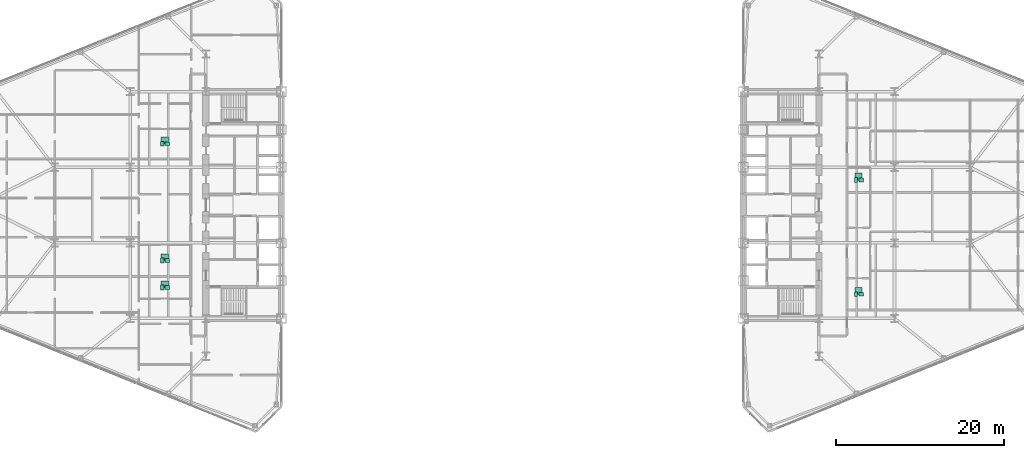
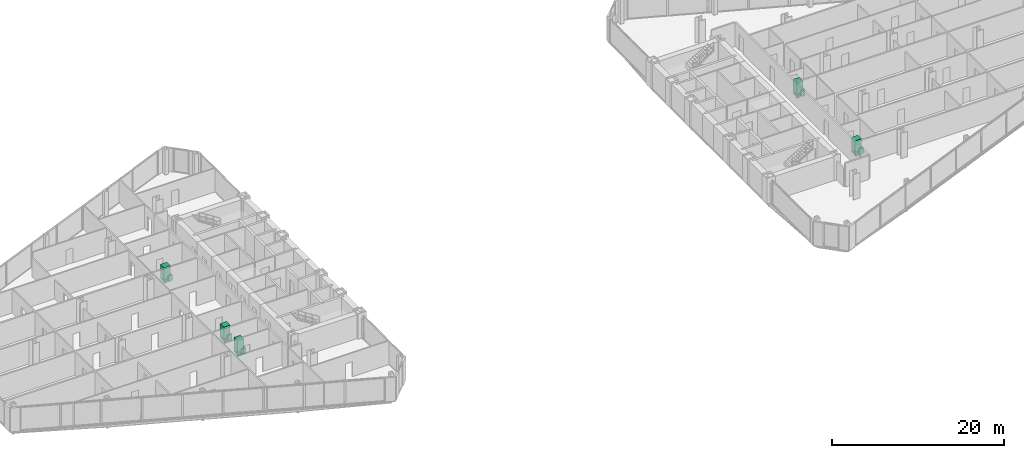
# One storey, part 25 of 25: 15 sanitary terminals.
"""IFC4 building model written with IfcOpenShell, lengths in metres."""

from ifc_helpers import new_model, si_unit, direction, frame, origin, origin_2d, place, context, subcontext, project, spatial, rectangle, extrude, source, transform, mapped, material, type_object, type_shapes, element, save


model = new_model("IFC4")

# Units and contexts
model_context = context("Model", 3, precision=1e-05, world=origin(), true_north=direction((0.0, 1.0)))
body_context = subcontext(model_context, "Body", "Model", "MODEL_VIEW")
ifc_project = project(units=[si_unit("LENGTHUNIT", "METRE"), si_unit("AREAUNIT", "SQUARE_METRE"), si_unit("VOLUMEUNIT", "CUBIC_METRE"), si_unit("PLANEANGLEUNIT", "RADIAN"), si_unit("MASSUNIT", "GRAM", prefix="KILO")], contexts=[model_context])

# Site, building, storey
site_placement = place(None, origin())
site = spatial("IfcSite", under=ifc_project, at=site_placement, CompositionType="ELEMENT")
building_placement = place(site_placement, origin())
building = spatial("IfcBuilding", under=site, at=building_placement, Name="Seokmaru Belvedere", CompositionType="ELEMENT")
storey_placement = place(building_placement, frame((0.0, 0.0, 47.699951171875)))
storey = spatial("IfcBuildingStorey", under=building, at=storey_placement, Name="L12", CompositionType="ELEMENT", Elevation=47.699951171875)

# Sanitary terminals
ifc_material_1 = material(Name="Vitreous China Sanitaryware")
sanitary_terminal_type_1 = type_object("IfcSanitaryTerminalType", Name="Wall-Hung Vitreous China WC Pan", PredefinedType="TOILETPAN", material=ifc_material_1)
shared_shape_1 = source(origin(), body_context, "Body", "SweptSolid", [
    extrude(rectangle(XDim=0.3798828125, YDim=0.56005859375, at=origin_2d()), origin(), (0.0, 0.0, 1.0), 0.419921875),
])
type_shapes(sanitary_terminal_type_1, [shared_shape_1])
for number, where, z_axis, x_axis, name in (
    (1, (-41.699951171875, -9.822021484375, 0.0), (0.0, 0.0, 1.0), (1.0, 0.0, 0.0), "L12 Vitreous China WC 0070"),
    (2, (-41.699951171875, -6.611083984375, 0.0), (0.0, 0.0, 1.0), (1.0, 0.0, 0.0), "L12 Vitreous China WC 0071"),
    (3, (-41.699951171875, 7.2890625, 0.0), (0.0, 0.0, 1.0), (1.0, 0.0, 0.0), "L12 Vitreous China WC 0072"),
    (4, (40.925048828125, -10.611083984375, 0.0), (0.0, 0.0, 1.0), (1.0, 0.0, 0.0), "L12 Vitreous China WC 0073"),
    (5, (40.925048828125, 2.98388671875, 0.0), (0.0, 0.0, 1.0), (1.0, 0.0, 0.0), "L12 Vitreous China WC 0074"),
):
    element("IfcSanitaryTerminal", number, at=place(storey_placement, frame(where, z_axis=z_axis, x_axis=x_axis)), inside=storey, type_object=sanitary_terminal_type_1, Name=name, PredefinedType="TOILETPAN", context=body_context, shape_type="MappedRepresentation", body=[
        mapped(shared_shape_1, transform((0.0, 0.0, 0.0), scale=1.0)),
    ])
sanitary_terminal_type_2 = type_object("IfcSanitaryTerminalType", Name="Countertop Ceramic Washhand Basin", PredefinedType="WASHHANDBASIN", material=ifc_material_1)
shared_shape_2 = source(origin(), body_context, "Body", "SweptSolid", [
    extrude(rectangle(XDim=0.550048828125, YDim=0.449951171875, at=origin_2d()), origin(), (0.0, 0.0, 1.0), 0.820068359375),
])
type_shapes(sanitary_terminal_type_2, [shared_shape_2])
for number, where, z_axis, x_axis, name in (
    (6, (-41.10009765625, -9.822021484375, 0.0), (0.0, 0.0, 1.0), (1.0, 0.0, 0.0), "L12 Ceramic Washhand Basin 0070"),
    (7, (-41.10009765625, -6.611083984375, 0.0), (0.0, 0.0, 1.0), (1.0, 0.0, 0.0), "L12 Ceramic Washhand Basin 0071"),
    (8, (-41.10009765625, 7.2890625, 0.0), (0.0, 0.0, 1.0), (1.0, 0.0, 0.0), "L12 Ceramic Washhand Basin 0072"),
    (9, (41.52490234375, -10.611083984375, 0.0), (0.0, 0.0, 1.0), (1.0, 0.0, 0.0), "L12 Ceramic Washhand Basin 0073"),
    (10, (41.52490234375, 2.98388671875, 0.0), (0.0, 0.0, 1.0), (1.0, 0.0, 0.0), "L12 Ceramic Washhand Basin 0074"),
):
    element("IfcSanitaryTerminal", number, at=place(storey_placement, frame(where, z_axis=z_axis, x_axis=x_axis)), inside=storey, type_object=sanitary_terminal_type_2, Name=name, PredefinedType="WASHHANDBASIN", context=body_context, shape_type="MappedRepresentation", body=[
        mapped(shared_shape_2, transform((0.0, 0.0, 0.0), scale=1.0)),
    ])
ifc_material_2 = material(Name="Stainless Steel 316", Category="steel")
sanitary_terminal_type_3 = type_object("IfcSanitaryTerminalType", Name="Walk-In Thermostatic Rain Shower Enclosure", PredefinedType="SHOWER", material=ifc_material_2)
shared_shape_3 = source(origin(), body_context, "Body", "SweptSolid", [
    extrude(rectangle(XDim=0.85009765625, YDim=0.85009765625, at=origin_2d()), origin(), (0.0, 0.0, 1.0), 2.050048828125),
])
type_shapes(sanitary_terminal_type_3, [shared_shape_3])
for number, where, z_axis, x_axis, name in (
    (11, (-41.39990234375, -9.44189453125, 0.0), (0.0, 0.0, 1.0), (1.0, 0.0, 0.0), "L12 Walk-In Shower 0070"),
    (12, (-41.39990234375, -6.23095703125, 0.0), (0.0, 0.0, 1.0), (1.0, 0.0, 0.0), "L12 Walk-In Shower 0071"),
    (13, (-41.39990234375, 7.6689453125, 0.0), (0.0, 0.0, 1.0), (1.0, 0.0, 0.0), "L12 Walk-In Shower 0072"),
    (14, (41.22509765625, -10.23095703125, 0.0), (0.0, 0.0, 1.0), (1.0, 0.0, 0.0), "L12 Walk-In Shower 0073"),
    (15, (41.22509765625, 3.364013671875, 0.0), (0.0, 0.0, 1.0), (1.0, 0.0, 0.0), "L12 Walk-In Shower 0074"),
):
    element("IfcSanitaryTerminal", number, at=place(storey_placement, frame(where, z_axis=z_axis, x_axis=x_axis)), inside=storey, type_object=sanitary_terminal_type_3, Name=name, PredefinedType="SHOWER", context=body_context, shape_type="MappedRepresentation", body=[
        mapped(shared_shape_3, transform((0.0, 0.0, 0.0), scale=1.0)),
    ])

save(model, "model.ifc")
